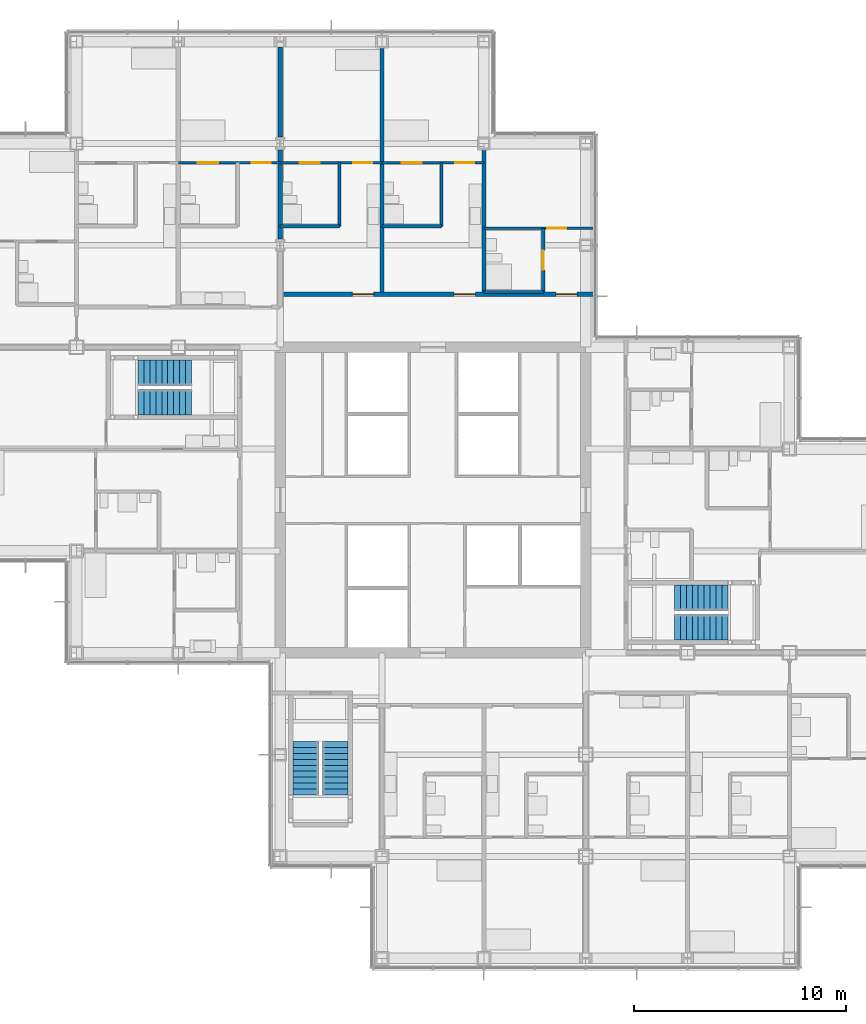
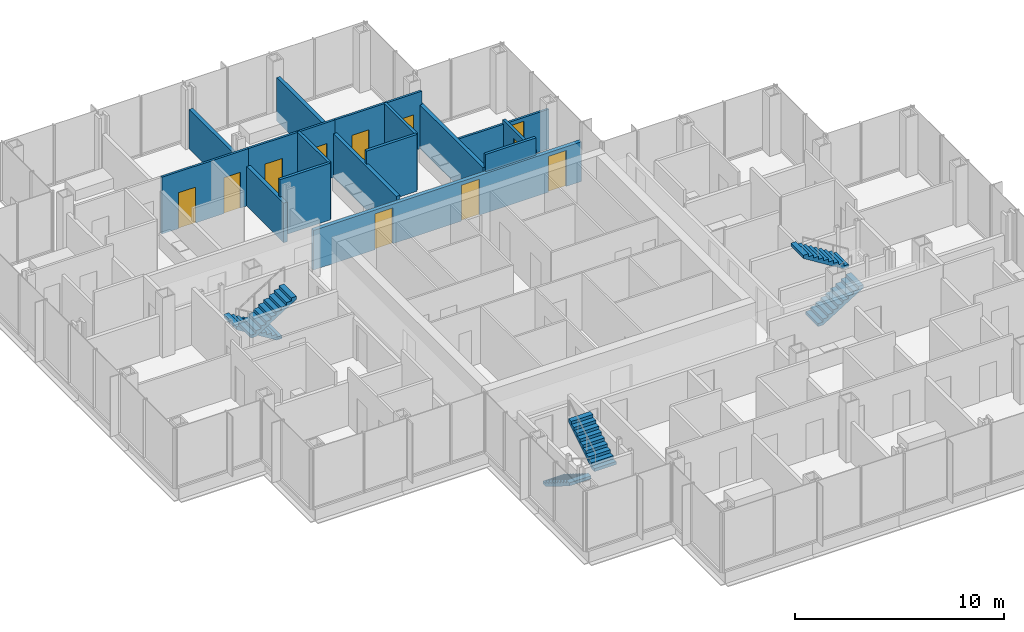
# One storey, part 16 of 19: 15 walls, 11 doors, 6 stair flights, 11 openings, 3 elements without a shape of their own.
"""IFC4 building model written with IfcOpenShell, lengths in metres."""

from ifc_helpers import new_model, si_unit, direction, frame, frame_2d, origin, place, context, subcontext, project, spatial, polyline, rectangle, outline, extrude, material, layer, layer_set, type_object, element, fill, aggregate, save


model = new_model("IFC4")

# Units and contexts
model_context = context("Model", 3, precision=1e-05, world=origin(), true_north=direction((0.0, 1.0)))
body_context = subcontext(model_context, "Body", "Model", "MODEL_VIEW")
ifc_project = project(units=[si_unit("LENGTHUNIT", "METRE"), si_unit("AREAUNIT", "SQUARE_METRE"), si_unit("VOLUMEUNIT", "CUBIC_METRE"), si_unit("PLANEANGLEUNIT", "RADIAN"), si_unit("MASSUNIT", "GRAM", prefix="KILO")], contexts=[model_context])

# Site, building, storey
site_placement = place(None, origin())
site = spatial("IfcSite", under=ifc_project, at=site_placement, CompositionType="ELEMENT")
building_placement = place(site_placement, origin())
building = spatial("IfcBuilding", under=site, at=building_placement, Name="Kvirike Care Tower", CompositionType="ELEMENT")
storey_placement = place(building_placement, frame((0.0, 0.0, 87.5)))
storey = spatial("IfcBuildingStorey", under=building, at=storey_placement, Name="L23", CompositionType="ELEMENT", Elevation=87.5)

# Wall, opening, door
ifc_material_1 = material(Name="Moisture-resistant board partition", Category="gypsum")
ifc_layer_1 = layer(ifc_material_1, 0.14990234375)
ifc_layer_set_1 = layer_set([ifc_layer_1], Name="BATHROOM WALL 150")
wall_type_1 = type_object("IfcWallType", Name="BATHROOM WALL 150", PredefinedType="PARTITIONING", material=ifc_layer_set_1)
wall_1_placement = place(storey_placement, frame((26.800048828125, 48.800048828125, 0.0), z_axis=(0.0, 0.0, 1.0), x_axis=(0.0, -1.0, 0.0)))
wall_1 = element("IfcWall", 1, at=wall_1_placement, inside=storey, type_object=wall_type_1, Name="Bathroom Wall 150 L23", PredefinedType="PARTITIONING", context=body_context, shape_type="SweptSolid", body=[
    extrude(rectangle(XDim=3.0, YDim=0.14990234375, at=frame_2d((1.5, 0.0))), origin(), (0.0, 0.0, 1.0), 2.550048828125),
])
opening_1_placement = place(wall_1_placement, frame((1.050048828125, 0.0, 0.0)))
opening_1 = element("IfcOpeningElement", 2, at=opening_1_placement, cuts=wall_1, Name="Opening 23-027", PredefinedType="OPENING", context=body_context, shape_type="SweptSolid", body=[
    extrude(rectangle(XDim=0.89990234375, YDim=2.10009765625, at=frame_2d((0.449951171875, 1.050048828125))), frame((0.0, 0.08544921875, 0.0), z_axis=(0.0, -1.0, 0.0), x_axis=(1.0, 0.0, 0.0)), (0.0, 0.0, 1.0), 0.1708984375),
])
ifc_material_2 = material(Name="Timber door set", Category="wood")
door_type_1 = type_object("IfcDoorType", Name="BATHROOM DOOR 900", OperationType="SINGLE_SWING_RIGHT", PredefinedType="DOOR", material=ifc_material_2)
door_1_placement = place(opening_1_placement, origin())
door_1 = element("IfcDoor", 3, at=door_1_placement, inside=storey, type_object=door_type_1, Name="Assisted bathroom door", OperationType="SINGLE_SWING_LEFT", OverallHeight=2.10009765625, OverallWidth=0.89990234375, PredefinedType="DOOR", context=body_context, shape_type="SweptSolid", body=[
    extrude(rectangle(XDim=0.89990234375, YDim=2.10009765625, at=frame_2d((0.449951171875, 1.050048828125))), frame((0.0, 0.02197265625, 0.0), z_axis=(0.0, -1.0, 0.0), x_axis=(1.0, 0.0, 0.0)), (0.0, 0.0, 1.0), 0.0439453125),
])
fill(opening_1, door_1)

# Walls
wall_2_placement = place(storey_placement, frame((26.800048828125, 45.800048828125, 0.0), z_axis=(0.0, 0.0, 1.0), x_axis=(-1.0, 0.0, 0.0)))
element("IfcWall", 4, at=wall_2_placement, inside=storey, type_object=wall_type_1, Name="Bathroom Wall 150 L23", PredefinedType="PARTITIONING", context=body_context, shape_type="SweptSolid", body=[
    extrude(rectangle(XDim=2.800048828125, YDim=0.14990234375, at=frame_2d((1.39990234375, 0.0))), origin(), (0.0, 0.0, 1.0), 3.330078125),
])
wall_3_placement = place(storey_placement, frame((22.0, 51.89990234375, 0.0), z_axis=(0.0, 0.0, 1.0), x_axis=(0.0, -1.0, 0.0)))
element("IfcWall", 5, at=wall_3_placement, inside=storey, type_object=wall_type_1, Name="Bathroom Wall 150 L23", PredefinedType="PARTITIONING", context=body_context, shape_type="SweptSolid", body=[
    extrude(rectangle(XDim=3.0, YDim=0.14990234375, at=frame_2d((1.5, 0.0))), origin(), (0.0, 0.0, 1.0), 3.330078125),
])
wall_4_placement = place(storey_placement, frame((22.0, 48.89990234375, 0.0), z_axis=(0.0, 0.0, 1.0), x_axis=(-1.0, 0.0, 0.0)))
element("IfcWall", 6, at=wall_4_placement, inside=storey, type_object=wall_type_1, Name="Bathroom Wall 150 L23", PredefinedType="PARTITIONING", context=body_context, shape_type="SweptSolid", body=[
    extrude(rectangle(XDim=2.800048828125, YDim=0.14990234375, at=frame_2d((1.39990234375, 0.0))), origin(), (0.0, 0.0, 1.0), 3.330078125),
])
wall_5_placement = place(storey_placement, frame((17.199951171875, 51.89990234375, 0.0), z_axis=(0.0, 0.0, 1.0), x_axis=(0.0, -1.0, 0.0)))
element("IfcWall", 7, at=wall_5_placement, inside=storey, type_object=wall_type_1, Name="Bathroom Wall 150 L23", PredefinedType="PARTITIONING", context=body_context, shape_type="SweptSolid", body=[
    extrude(rectangle(XDim=3.0, YDim=0.14990234375, at=frame_2d((1.5, 0.0))), origin(), (0.0, 0.0, 1.0), 3.330078125),
])
wall_6_placement = place(storey_placement, frame((17.199951171875, 48.89990234375, 0.0), z_axis=(0.0, 0.0, 1.0), x_axis=(-1.0, 0.0, 0.0)))
element("IfcWall", 8, at=wall_6_placement, inside=storey, type_object=wall_type_1, Name="Bathroom Wall 150 L23", PredefinedType="PARTITIONING", context=body_context, shape_type="SweptSolid", body=[
    extrude(rectangle(XDim=2.800048828125, YDim=0.14990234375, at=frame_2d((1.39990234375, 0.0))), origin(), (0.0, 0.0, 1.0), 3.330078125),
])

# Wall, openings, doors
ifc_material_3 = material(Name="Plasterboard corridor wall", Category="gypsum")
ifc_layer_2 = layer(ifc_material_3, 0.199951171875)
ifc_layer_set_2 = layer_set([ifc_layer_2], Name="CORRIDOR WALL 200")
wall_type_2 = type_object("IfcWallType", Name="CORRIDOR WALL 200", PredefinedType="PARTITIONING", material=ifc_layer_set_2)
wall_7_placement = place(storey_placement, frame((29.239990234375, 45.699951171875, 0.0), z_axis=(0.0, 0.0, 1.0), x_axis=(-1.0, 0.0, 0.0)))
wall_7 = element("IfcWall", 9, at=wall_7_placement, inside=storey, type_object=wall_type_2, Name="Corridor Wall 200 L23", PredefinedType="PARTITIONING", context=body_context, shape_type="SweptSolid", body=[
    extrude(rectangle(XDim=14.840087890625, YDim=0.199951171875, at=frame_2d((7.419921875, 0.0))), origin(), (0.0, 0.0, 1.0), 2.320068359375),
])
opening_2_placement = place(wall_7_placement, frame((0.840087890625, 0.0, 0.0)))
opening_2 = element("IfcOpeningElement", 10, at=opening_2_placement, cuts=wall_7, Name="Opening 23-033", PredefinedType="OPENING", context=body_context, shape_type="SweptSolid", body=[
    extrude(rectangle(XDim=1.0, YDim=2.10009765625, at=frame_2d((0.5, 1.050048828125))), frame((0.0, 0.110595703125, 0.0), z_axis=(0.0, -1.0, 0.0), x_axis=(1.0, 0.0, 0.0)), (0.0, 0.0, 1.0), 0.220947265625),
])
opening_3_placement = place(wall_7_placement, frame((5.639892578125, 0.0, 0.0)))
opening_3 = element("IfcOpeningElement", 11, at=opening_3_placement, cuts=wall_7, Name="Opening 23-034", PredefinedType="OPENING", context=body_context, shape_type="SweptSolid", body=[
    extrude(rectangle(XDim=1.0, YDim=2.10009765625, at=frame_2d((0.5, 1.050048828125))), frame((0.0, 0.110595703125, 0.0), z_axis=(0.0, -1.0, 0.0), x_axis=(1.0, 0.0, 0.0)), (0.0, 0.0, 1.0), 0.220947265625),
])
opening_4_placement = place(wall_7_placement, frame((10.43994140625, 0.0, 0.0)))
opening_4 = element("IfcOpeningElement", 12, at=opening_4_placement, cuts=wall_7, Name="Opening 23-035", PredefinedType="OPENING", context=body_context, shape_type="SweptSolid", body=[
    extrude(rectangle(XDim=1.0, YDim=2.10009765625, at=frame_2d((0.5, 1.050048828125))), frame((0.0, 0.110595703125, 0.0), z_axis=(0.0, -1.0, 0.0), x_axis=(1.0, 0.0, 0.0)), (0.0, 0.0, 1.0), 0.220947265625),
])
ifc_material_4 = material(Name="Timber door set", Category="wood")
door_type_2 = type_object("IfcDoorType", Name="FLAT ENTRANCE DOOR 1000", OperationType="SINGLE_SWING_LEFT", PredefinedType="DOOR", material=ifc_material_4)
door_2_placement = place(opening_2_placement, frame((1.0, 0.0, 0.0), z_axis=(0.0, 0.0, 1.0), x_axis=(-1.0, 0.0, 0.0)))
door_2 = element("IfcDoor", 13, at=door_2_placement, inside=storey, type_object=door_type_2, Name="Care base entrance", OperationType="SINGLE_SWING_LEFT", OverallHeight=2.10009765625, OverallWidth=1.0, PredefinedType="DOOR", context=body_context, shape_type="SweptSolid", body=[
    extrude(rectangle(XDim=1.0, YDim=2.10009765625, at=frame_2d((0.5, 1.050048828125))), frame((0.0, 0.02685546875, 0.0), z_axis=(0.0, -1.0, 0.0), x_axis=(1.0, 0.0, 0.0)), (0.0, 0.0, 1.0), 0.053955078125),
])
fill(opening_2, door_2)
door_3_placement = place(opening_3_placement, frame((1.0, 0.0, 0.0), z_axis=(0.0, 0.0, 1.0), x_axis=(-1.0, 0.0, 0.0)))
door_3 = element("IfcDoor", 14, at=door_3_placement, inside=storey, type_object=door_type_2, Name="Assisted living suite entrance", OperationType="SINGLE_SWING_LEFT", OverallHeight=2.10009765625, OverallWidth=1.0, PredefinedType="DOOR", context=body_context, shape_type="SweptSolid", body=[
    extrude(rectangle(XDim=1.0, YDim=2.10009765625, at=frame_2d((0.5, 1.050048828125))), frame((0.0, 0.02685546875, 0.0), z_axis=(0.0, -1.0, 0.0), x_axis=(1.0, 0.0, 0.0)), (0.0, 0.0, 1.0), 0.053955078125),
])
fill(opening_3, door_3)
door_4_placement = place(opening_4_placement, frame((1.0, 0.0, 0.0), z_axis=(0.0, 0.0, 1.0), x_axis=(-1.0, 0.0, 0.0)))
door_4 = element("IfcDoor", 15, at=door_4_placement, inside=storey, type_object=door_type_2, Name="Assisted living suite entrance", OperationType="SINGLE_SWING_LEFT", OverallHeight=2.10009765625, OverallWidth=1.0, PredefinedType="DOOR", context=body_context, shape_type="SweptSolid", body=[
    extrude(rectangle(XDim=1.0, YDim=2.10009765625, at=frame_2d((0.5, 1.050048828125))), frame((0.0, 0.02685546875, 0.0), z_axis=(0.0, -1.0, 0.0), x_axis=(1.0, 0.0, 0.0)), (0.0, 0.0, 1.0), 0.053955078125),
])
fill(opening_4, door_4)

ifc_material_5 = material(Name="Plasterboard partition", Category="gypsum")
ifc_layer_3 = layer(ifc_material_5, 0.1201171875)
ifc_layer_set_3 = layer_set([ifc_layer_3], Name="PARTITION 120")
wall_type_3 = type_object("IfcWallType", Name="PARTITION 120", PredefinedType="PARTITIONING", material=ifc_layer_set_3)
wall_8_placement = place(storey_placement, frame((14.39990234375, 51.89990234375, 0.0), z_axis=(0.0, 0.0, 1.0), x_axis=(-1.0, 0.0, 0.0)))
wall_8 = element("IfcWall", 16, at=wall_8_placement, inside=storey, type_object=wall_type_3, Name="Partition 120 L23", PredefinedType="PARTITIONING", context=body_context, shape_type="SweptSolid", body=[
    extrude(rectangle(XDim=4.7998046875, YDim=0.1201171875, at=frame_2d((2.39990234375, 0.0))), origin(), (0.0, 0.0, 1.0), 3.330078125),
])
opening_5_placement = place(wall_8_placement, frame((0.449951171875, 0.0, 0.0)))
opening_5 = element("IfcOpeningElement", 17, at=opening_5_placement, cuts=wall_8, Name="Opening 23-010", PredefinedType="OPENING", context=body_context, shape_type="SweptSolid", body=[
    extrude(rectangle(XDim=0.89990234375, YDim=2.10009765625, at=frame_2d((0.449951171875, 1.050048828125))), frame((0.0, 0.070556640625, 0.0), z_axis=(0.0, -1.0, 0.0), x_axis=(1.0, 0.0, 0.0)), (0.0, 0.0, 1.0), 0.14111328125),
])
opening_6_placement = place(wall_8_placement, frame((2.925048828125, 0.0, 0.0)))
opening_6 = element("IfcOpeningElement", 18, at=opening_6_placement, cuts=wall_8, Name="Opening 23-011", PredefinedType="OPENING", context=body_context, shape_type="SweptSolid", body=[
    extrude(rectangle(XDim=0.949951171875, YDim=2.10009765625, at=frame_2d((0.47509765625, 1.050048828125))), frame((0.0, 0.070556640625, 0.0), z_axis=(0.0, -1.0, 0.0), x_axis=(1.0, 0.0, 0.0)), (0.0, 0.0, 1.0), 0.14111328125),
])
ifc_material_6 = material(Name="Timber door set", Category="wood")
door_type_3 = type_object("IfcDoorType", Name="EN-SUITE SLIDING DOOR 950", OperationType="SLIDING_TO_LEFT", PredefinedType="DOOR", material=ifc_material_6)
door_5_placement = place(opening_6_placement, origin())
door_5 = element("IfcDoor", 19, at=door_5_placement, inside=storey, type_object=door_type_3, Name="En-suite door", OperationType="SLIDING_TO_RIGHT", OverallHeight=2.10009765625, OverallWidth=0.949951171875, PredefinedType="DOOR", context=body_context, shape_type="SweptSolid", body=[
    extrude(rectangle(XDim=0.949951171875, YDim=2.10009765625, at=frame_2d((0.47509765625, 1.050048828125))), frame((0.0, 0.02197265625, 0.0), z_axis=(0.0, -1.0, 0.0), x_axis=(1.0, 0.0, 0.0)), (0.0, 0.0, 1.0), 0.0439453125),
])
fill(opening_6, door_5)
ifc_material_7 = material(Name="Timber door set", Category="wood")
door_type_4 = type_object("IfcDoorType", Name="INTERNAL DOOR 900", OperationType="SINGLE_SWING_LEFT", PredefinedType="DOOR", material=ifc_material_7)
door_6_placement = place(opening_5_placement, origin())
door_6 = element("IfcDoor", 20, at=door_6_placement, inside=storey, type_object=door_type_4, Name="Assisted living suite door", OperationType="SINGLE_SWING_RIGHT", OverallHeight=2.10009765625, OverallWidth=0.89990234375, PredefinedType="DOOR", context=body_context, shape_type="SweptSolid", body=[
    extrude(rectangle(XDim=0.89990234375, YDim=2.10009765625, at=frame_2d((0.449951171875, 1.050048828125))), frame((0.0, 0.02197265625, 0.0), z_axis=(0.0, -1.0, 0.0), x_axis=(1.0, 0.0, 0.0)), (0.0, 0.0, 1.0), 0.0439453125),
])
fill(opening_5, door_6)

# Wall, opening, door
wall_9_placement = place(storey_placement, frame((29.239990234375, 48.800048828125, 0.0), z_axis=(0.0, 0.0, 1.0), x_axis=(-1.0, 0.0, 0.0)))
wall_9 = element("IfcWall", 21, at=wall_9_placement, inside=storey, type_object=wall_type_3, Name="Partition 120 L23", PredefinedType="PARTITIONING", context=body_context, shape_type="SweptSolid", body=[
    extrude(rectangle(XDim=5.239990234375, YDim=0.1201171875, at=frame_2d((2.6201171875, 0.0))), origin(), (0.0, 0.0, 1.0), 2.320068359375),
])
opening_7_placement = place(wall_9_placement, frame((1.364990234375, 0.0, 0.0)))
opening_7 = element("IfcOpeningElement", 22, at=opening_7_placement, cuts=wall_9, Name="Opening 23-028", PredefinedType="OPENING", context=body_context, shape_type="SweptSolid", body=[
    extrude(rectangle(XDim=0.89990234375, YDim=2.10009765625, at=frame_2d((0.449951171875, 1.050048828125))), frame((0.0, 0.070556640625, 0.0), z_axis=(0.0, -1.0, 0.0), x_axis=(1.0, 0.0, 0.0)), (0.0, 0.0, 1.0), 0.14111328125),
])
door_7_placement = place(opening_7_placement, origin())
door_7 = element("IfcDoor", 23, at=door_7_placement, inside=storey, type_object=door_type_4, Name="Care lounge door", OperationType="SINGLE_SWING_LEFT", OverallHeight=2.10009765625, OverallWidth=0.89990234375, PredefinedType="DOOR", context=body_context, shape_type="SweptSolid", body=[
    extrude(rectangle(XDim=0.89990234375, YDim=2.10009765625, at=frame_2d((0.449951171875, 1.050048828125))), frame((0.0, 0.02197265625, 0.0), z_axis=(0.0, -1.0, 0.0), x_axis=(1.0, 0.0, 0.0)), (0.0, 0.0, 1.0), 0.0439453125),
])
fill(opening_7, door_7)

# Wall, openings, doors
wall_10_placement = place(storey_placement, frame((24.0, 51.89990234375, 0.0), z_axis=(0.0, 0.0, 1.0), x_axis=(-1.0, 0.0, 0.0)))
wall_10 = element("IfcWall", 24, at=wall_10_placement, inside=storey, type_object=wall_type_3, Name="Partition 120 L23", PredefinedType="PARTITIONING", context=body_context, shape_type="SweptSolid", body=[
    extrude(rectangle(XDim=4.800048828125, YDim=0.1201171875, at=frame_2d((2.39990234375, 0.0))), origin(), (0.0, 0.0, 1.0), 3.330078125),
])
opening_8_placement = place(wall_10_placement, frame((0.449951171875, 0.0, 0.0)))
opening_8 = element("IfcOpeningElement", 25, at=opening_8_placement, cuts=wall_10, Name="Opening 23-029", PredefinedType="OPENING", context=body_context, shape_type="SweptSolid", body=[
    extrude(rectangle(XDim=0.89990234375, YDim=2.10009765625, at=frame_2d((0.449951171875, 1.050048828125))), frame((0.0, 0.070556640625, 0.0), z_axis=(0.0, -1.0, 0.0), x_axis=(1.0, 0.0, 0.0)), (0.0, 0.0, 1.0), 0.14111328125),
])
opening_9_placement = place(wall_10_placement, frame((2.925048828125, 0.0, 0.0)))
opening_9 = element("IfcOpeningElement", 26, at=opening_9_placement, cuts=wall_10, Name="Opening 23-030", PredefinedType="OPENING", context=body_context, shape_type="SweptSolid", body=[
    extrude(rectangle(XDim=0.949951171875, YDim=2.10009765625, at=frame_2d((0.47509765625, 1.050048828125))), frame((0.0, 0.070556640625, 0.0), z_axis=(0.0, -1.0, 0.0), x_axis=(1.0, 0.0, 0.0)), (0.0, 0.0, 1.0), 0.14111328125),
])
door_8_placement = place(opening_9_placement, origin())
door_8 = element("IfcDoor", 27, at=door_8_placement, inside=storey, type_object=door_type_3, Name="En-suite door", OperationType="SLIDING_TO_RIGHT", OverallHeight=2.10009765625, OverallWidth=0.949951171875, PredefinedType="DOOR", context=body_context, shape_type="SweptSolid", body=[
    extrude(rectangle(XDim=0.949951171875, YDim=2.10009765625, at=frame_2d((0.47509765625, 1.050048828125))), frame((0.0, 0.02197265625, 0.0), z_axis=(0.0, -1.0, 0.0), x_axis=(1.0, 0.0, 0.0)), (0.0, 0.0, 1.0), 0.0439453125),
])
fill(opening_9, door_8)
door_9_placement = place(opening_8_placement, origin())
door_9 = element("IfcDoor", 28, at=door_9_placement, inside=storey, type_object=door_type_4, Name="Assisted living suite door", OperationType="SINGLE_SWING_RIGHT", OverallHeight=2.10009765625, OverallWidth=0.89990234375, PredefinedType="DOOR", context=body_context, shape_type="SweptSolid", body=[
    extrude(rectangle(XDim=0.89990234375, YDim=2.10009765625, at=frame_2d((0.449951171875, 1.050048828125))), frame((0.0, 0.02197265625, 0.0), z_axis=(0.0, -1.0, 0.0), x_axis=(1.0, 0.0, 0.0)), (0.0, 0.0, 1.0), 0.0439453125),
])
fill(opening_8, door_9)

wall_11_placement = place(storey_placement, frame((19.199951171875, 51.89990234375, 0.0), z_axis=(0.0, 0.0, 1.0), x_axis=(-1.0, 0.0, 0.0)))
wall_11 = element("IfcWall", 29, at=wall_11_placement, inside=storey, type_object=wall_type_3, Name="Partition 120 L23", PredefinedType="PARTITIONING", context=body_context, shape_type="SweptSolid", body=[
    extrude(rectangle(XDim=4.800048828125, YDim=0.1201171875, at=frame_2d((2.39990234375, 0.0))), origin(), (0.0, 0.0, 1.0), 3.330078125),
])
opening_10_placement = place(wall_11_placement, frame((0.449951171875, 0.0, 0.0)))
opening_10 = element("IfcOpeningElement", 30, at=opening_10_placement, cuts=wall_11, Name="Opening 23-031", PredefinedType="OPENING", context=body_context, shape_type="SweptSolid", body=[
    extrude(rectangle(XDim=0.89990234375, YDim=2.10009765625, at=frame_2d((0.449951171875, 1.050048828125))), frame((0.0, 0.070556640625, 0.0), z_axis=(0.0, -1.0, 0.0), x_axis=(1.0, 0.0, 0.0)), (0.0, 0.0, 1.0), 0.14111328125),
])
opening_11_placement = place(wall_11_placement, frame((2.925048828125, 0.0, 0.0)))
opening_11 = element("IfcOpeningElement", 31, at=opening_11_placement, cuts=wall_11, Name="Opening 23-032", PredefinedType="OPENING", context=body_context, shape_type="SweptSolid", body=[
    extrude(rectangle(XDim=0.949951171875, YDim=2.10009765625, at=frame_2d((0.47509765625, 1.050048828125))), frame((0.0, 0.070556640625, 0.0), z_axis=(0.0, -1.0, 0.0), x_axis=(1.0, 0.0, 0.0)), (0.0, 0.0, 1.0), 0.14111328125),
])
door_10_placement = place(opening_11_placement, origin())
door_10 = element("IfcDoor", 32, at=door_10_placement, inside=storey, type_object=door_type_3, Name="En-suite door", OperationType="SLIDING_TO_RIGHT", OverallHeight=2.10009765625, OverallWidth=0.949951171875, PredefinedType="DOOR", context=body_context, shape_type="SweptSolid", body=[
    extrude(rectangle(XDim=0.949951171875, YDim=2.10009765625, at=frame_2d((0.47509765625, 1.050048828125))), frame((0.0, 0.02197265625, 0.0), z_axis=(0.0, -1.0, 0.0), x_axis=(1.0, 0.0, 0.0)), (0.0, 0.0, 1.0), 0.0439453125),
])
fill(opening_11, door_10)
door_11_placement = place(opening_10_placement, origin())
door_11 = element("IfcDoor", 33, at=door_11_placement, inside=storey, type_object=door_type_4, Name="Assisted living suite door", OperationType="SINGLE_SWING_RIGHT", OverallHeight=2.10009765625, OverallWidth=0.89990234375, PredefinedType="DOOR", context=body_context, shape_type="SweptSolid", body=[
    extrude(rectangle(XDim=0.89990234375, YDim=2.10009765625, at=frame_2d((0.449951171875, 1.050048828125))), frame((0.0, 0.02197265625, 0.0), z_axis=(0.0, -1.0, 0.0), x_axis=(1.0, 0.0, 0.0)), (0.0, 0.0, 1.0), 0.0439453125),
])
fill(opening_10, door_11)

# Walls
ifc_material_8 = material(Name="Plasterboard party wall", Category="gypsum")
ifc_layer_4 = layer(ifc_material_8, 0.199951171875)
ifc_layer_set_4 = layer_set([ifc_layer_4], Name="PARTY WALL 200")
wall_type_4 = type_object("IfcWallType", Name="PARTY WALL 200", PredefinedType="PARTITIONING", material=ifc_layer_set_4)
wall_12_placement = place(storey_placement, frame((24.0, 52.47998046875, 0.0), z_axis=(0.0, 0.0, 1.0), x_axis=(0.0, -1.0, 0.0)))
element("IfcWall", 34, at=wall_12_placement, inside=storey, type_object=wall_type_4, Name="Party Wall 200 L23", PredefinedType="PARTITIONING", context=body_context, shape_type="SweptSolid", body=[
    extrude(rectangle(XDim=6.679931640625, YDim=0.199951171875, at=frame_2d((3.33984375, 0.0))), origin(), (0.0, 0.0, 1.0), 2.550048828125),
])
wall_13_placement = place(storey_placement, frame((19.199951171875, 57.280029296875, 0.0), z_axis=(0.0, 0.0, 1.0), x_axis=(0.0, -1.0, 0.0)))
element("IfcWall", 35, at=wall_13_placement, inside=storey, type_object=wall_type_4, Name="Party Wall 200 L23", PredefinedType="PARTITIONING", context=body_context, shape_type="SweptSolid", body=[
    extrude(rectangle(XDim=11.47998046875, YDim=0.199951171875, at=frame_2d((5.739990234375, 0.0))), origin(), (0.0, 0.0, 1.0), 2.550048828125),
])
wall_14_placement = place(storey_placement, frame((14.39990234375, 48.294921875, 0.0), z_axis=(0.0, 0.0, 1.0), x_axis=(0.0, 1.0, 0.0)))
element("IfcWall", 36, at=wall_14_placement, inside=storey, type_object=wall_type_4, Name="Party Wall 200 L23", PredefinedType="PARTITIONING", context=body_context, shape_type="SweptSolid", body=[
    extrude(rectangle(XDim=4.2099609375, YDim=0.199951171875, at=frame_2d((2.10498046875, 0.0))), origin(), (0.0, 0.0, 1.0), 2.320068359375),
])
wall_15_placement = place(storey_placement, frame((14.39990234375, 53.094970703125, 0.0), z_axis=(0.0, 0.0, 1.0), x_axis=(0.0, 1.0, 0.0)))
element("IfcWall", 37, at=wall_15_placement, inside=storey, type_object=wall_type_4, Name="Party Wall 200 L23", PredefinedType="PARTITIONING", context=body_context, shape_type="SweptSolid", body=[
    extrude(rectangle(XDim=4.258056640625, YDim=0.199951171875, at=frame_2d((2.12890625, 0.0))), origin(), (0.0, 0.0, 1.0), 2.320068359375),
])

# Stair, stair flights
ifc_material_9 = material(Name="Concrete C35/45", Category="concrete")
stair_type = type_object("IfcStairType", Name="STAIR 20 RISERS", PredefinedType="HALF_TURN_STAIR", material=ifc_material_9)
stair_1_placement = place(storey_placement, origin())
stair_1 = element("IfcStair", 38, at=stair_1_placement, inside=storey, type_object=stair_type, Name="Stair 1 L23", PredefinedType="HALF_TURN_STAIR")
ifc_material_10 = material(Name="Concrete C35/45", Category="concrete")
stair_flight_type = type_object("IfcStairFlightType", Name="FLIGHT 10 RISERS", PredefinedType="STRAIGHT", material=ifc_material_10)
stair_flight_1_placement = place(storey_placement, frame((10.219970703125, 42.0, 0.0), z_axis=(0.0, 0.0, 1.0), x_axis=(-1.0, 0.0, 0.0)))
stair_flight_1 = element("IfcStairFlight", 39, at=stair_flight_1_placement, type_object=stair_flight_type, Name="Stair S1 flight 1 L23-L24", NumberOfRisers=10, NumberOfTreads=9, PredefinedType="STRAIGHT", RiserHeight=0.175, TreadLength=0.28, context=body_context, shape_type="SweptSolid", body=[
    extrude(outline(polyline([(0.0, 0.0), (0.0, 0.175048828125), (0.280029296875, 0.175048828125), (0.280029296875, 0.35009765625), (0.56005859375, 0.35009765625), (0.56005859375, 0.52490234375), (0.840087890625, 0.52490234375), (0.840087890625, 0.699951171875), (1.1201171875, 0.699951171875), (1.1201171875, 0.875), (1.39990234375, 0.875), (1.39990234375, 1.050048828125), (1.679931640625, 1.050048828125), (1.679931640625, 1.22509765625), (1.9599609375, 1.22509765625), (1.9599609375, 1.39990234375), (2.239990234375, 1.39990234375), (2.239990234375, 1.574951171875), (2.52001953125, 1.574951171875), (2.52001953125, 1.75), (2.52001953125, 1.398193359375), (0.28271484375, 0.0), (0.0, 0.0)])), frame((0.0, 0.60009765625, 0.0), z_axis=(0.0, -1.0, 0.0), x_axis=(1.0, 0.0, 0.0)), (0.0, 0.0, 1.0), 1.199951171875),
])
stair_flight_2_placement = place(storey_placement, frame((7.699951171875, 40.60009765625, 1.75), z_axis=(0.0, 0.0, 1.0), x_axis=(1.0, 0.0, 0.0)))
stair_flight_2 = element("IfcStairFlight", 40, at=stair_flight_2_placement, type_object=stair_flight_type, Name="Stair S1 flight 2 L23-L24", NumberOfRisers=10, NumberOfTreads=9, PredefinedType="STRAIGHT", RiserHeight=0.175, TreadLength=0.28, context=body_context, shape_type="SweptSolid", body=[
    extrude(outline(polyline([(0.0, 0.0), (0.0, 0.175048828125), (0.280029296875, 0.175048828125), (0.280029296875, 0.35009765625), (0.56005859375, 0.35009765625), (0.56005859375, 0.52490234375), (0.840087890625, 0.52490234375), (0.840087890625, 0.699951171875), (1.1201171875, 0.699951171875), (1.1201171875, 0.875), (1.39990234375, 0.875), (1.39990234375, 1.050048828125), (1.679931640625, 1.050048828125), (1.679931640625, 1.22509765625), (1.9599609375, 1.22509765625), (1.9599609375, 1.39990234375), (2.239990234375, 1.39990234375), (2.239990234375, 1.574951171875), (2.52001953125, 1.574951171875), (2.52001953125, 1.75), (2.52001953125, 1.398193359375), (0.28271484375, 0.0), (0.0, 0.0)])), frame((0.0, 0.60009765625, 0.0), z_axis=(0.0, -1.0, 0.0), x_axis=(1.0, 0.0, 0.0)), (0.0, 0.0, 1.0), 1.199951171875),
])
aggregate(stair_1, [stair_flight_1, stair_flight_2])

stair_2_placement = place(storey_placement, origin())
stair_2 = element("IfcStair", 41, at=stair_2_placement, inside=storey, type_object=stair_type, Name="Stair 2 L23", PredefinedType="HALF_TURN_STAIR")
stair_flight_3_placement = place(storey_placement, frame((32.97998046875, 30.0, 0.0), z_axis=(0.0, 0.0, 1.0), x_axis=(1.0, 0.0, 0.0)))
stair_flight_3 = element("IfcStairFlight", 42, at=stair_flight_3_placement, type_object=stair_flight_type, Name="Stair S2 flight 1 L23-L24", NumberOfRisers=10, NumberOfTreads=9, PredefinedType="STRAIGHT", RiserHeight=0.175, TreadLength=0.28, context=body_context, shape_type="SweptSolid", body=[
    extrude(outline(polyline([(0.0, 0.0), (0.0, 0.175048828125), (0.280029296875, 0.175048828125), (0.280029296875, 0.35009765625), (0.56005859375, 0.35009765625), (0.56005859375, 0.52490234375), (0.840087890625, 0.52490234375), (0.840087890625, 0.699951171875), (1.1201171875, 0.699951171875), (1.1201171875, 0.875), (1.39990234375, 0.875), (1.39990234375, 1.050048828125), (1.679931640625, 1.050048828125), (1.679931640625, 1.22509765625), (1.9599609375, 1.22509765625), (1.9599609375, 1.39990234375), (2.239990234375, 1.39990234375), (2.239990234375, 1.574951171875), (2.52001953125, 1.574951171875), (2.52001953125, 1.75), (2.52001953125, 1.398193359375), (0.28271484375, 0.0), (0.0, 0.0)])), frame((0.0, 0.60009765625, 0.0), z_axis=(0.0, -1.0, 0.0), x_axis=(1.0, 0.0, 0.0)), (0.0, 0.0, 1.0), 1.199951171875),
])
stair_flight_4_placement = place(storey_placement, frame((35.5, 31.39990234375, 1.75), z_axis=(0.0, 0.0, 1.0), x_axis=(-1.0, 0.0, 0.0)))
stair_flight_4 = element("IfcStairFlight", 43, at=stair_flight_4_placement, type_object=stair_flight_type, Name="Stair S2 flight 2 L23-L24", NumberOfRisers=10, NumberOfTreads=9, PredefinedType="STRAIGHT", RiserHeight=0.175, TreadLength=0.28, context=body_context, shape_type="SweptSolid", body=[
    extrude(outline(polyline([(0.0, 0.0), (0.0, 0.175048828125), (0.280029296875, 0.175048828125), (0.280029296875, 0.35009765625), (0.56005859375, 0.35009765625), (0.56005859375, 0.52490234375), (0.840087890625, 0.52490234375), (0.840087890625, 0.699951171875), (1.1201171875, 0.699951171875), (1.1201171875, 0.875), (1.39990234375, 0.875), (1.39990234375, 1.050048828125), (1.679931640625, 1.050048828125), (1.679931640625, 1.22509765625), (1.9599609375, 1.22509765625), (1.9599609375, 1.39990234375), (2.239990234375, 1.39990234375), (2.239990234375, 1.574951171875), (2.52001953125, 1.574951171875), (2.52001953125, 1.75), (2.52001953125, 1.398193359375), (0.28271484375, 0.0), (0.0, 0.0)])), frame((0.0, 0.60009765625, 0.0), z_axis=(0.0, -1.0, 0.0), x_axis=(1.0, 0.0, 0.0)), (0.0, 0.0, 1.0), 1.199951171875),
])
aggregate(stair_2, [stair_flight_3, stair_flight_4])

stair_3_placement = place(storey_placement, origin())
stair_3 = element("IfcStair", 44, at=stair_3_placement, inside=storey, type_object=stair_type, Name="Stair 5 L23", PredefinedType="HALF_TURN_STAIR")
stair_flight_5_placement = place(storey_placement, frame((15.60009765625, 24.6201171875, 0.0), z_axis=(0.0, 0.0, 1.0), x_axis=(0.0, -1.0, 0.0)))
stair_flight_5 = element("IfcStairFlight", 45, at=stair_flight_5_placement, type_object=stair_flight_type, Name="Stair S5 flight 1 L23-L24", NumberOfRisers=10, NumberOfTreads=9, PredefinedType="STRAIGHT", RiserHeight=0.175, TreadLength=0.28, context=body_context, shape_type="SweptSolid", body=[
    extrude(outline(polyline([(0.0, 0.0), (0.0, 0.175048828125), (0.280029296875, 0.175048828125), (0.280029296875, 0.35009765625), (0.56005859375, 0.35009765625), (0.56005859375, 0.52490234375), (0.840087890625, 0.52490234375), (0.840087890625, 0.699951171875), (1.1201171875, 0.699951171875), (1.1201171875, 0.875), (1.39990234375, 0.875), (1.39990234375, 1.050048828125), (1.679931640625, 1.050048828125), (1.679931640625, 1.22509765625), (1.9599609375, 1.22509765625), (1.9599609375, 1.39990234375), (2.239990234375, 1.39990234375), (2.239990234375, 1.574951171875), (2.52001953125, 1.574951171875), (2.52001953125, 1.75), (2.52001953125, 1.398193359375), (0.28271484375, 0.0), (0.0, 0.0)])), frame((0.0, 0.60009765625, 0.0), z_axis=(0.0, -1.0, 0.0), x_axis=(1.0, 0.0, 0.0)), (0.0, 0.0, 1.0), 1.199951171875),
])
stair_flight_6_placement = place(storey_placement, frame((17.0, 22.10009765625, 1.75), z_axis=(0.0, 0.0, 1.0), x_axis=(0.0, 1.0, 0.0)))
stair_flight_6 = element("IfcStairFlight", 46, at=stair_flight_6_placement, type_object=stair_flight_type, Name="Stair S5 flight 2 L23-L24", NumberOfRisers=10, NumberOfTreads=9, PredefinedType="STRAIGHT", RiserHeight=0.175, TreadLength=0.28, context=body_context, shape_type="SweptSolid", body=[
    extrude(outline(polyline([(0.0, 0.0), (0.0, 0.175048828125), (0.280029296875, 0.175048828125), (0.280029296875, 0.35009765625), (0.56005859375, 0.35009765625), (0.56005859375, 0.52490234375), (0.840087890625, 0.52490234375), (0.840087890625, 0.699951171875), (1.1201171875, 0.699951171875), (1.1201171875, 0.875), (1.39990234375, 0.875), (1.39990234375, 1.050048828125), (1.679931640625, 1.050048828125), (1.679931640625, 1.22509765625), (1.9599609375, 1.22509765625), (1.9599609375, 1.39990234375), (2.239990234375, 1.39990234375), (2.239990234375, 1.574951171875), (2.52001953125, 1.574951171875), (2.52001953125, 1.75), (2.52001953125, 1.398193359375), (0.28271484375, 0.0), (0.0, 0.0)])), frame((0.0, 0.60009765625, 0.0), z_axis=(0.0, -1.0, 0.0), x_axis=(1.0, 0.0, 0.0)), (0.0, 0.0, 1.0), 1.199951171875),
])
aggregate(stair_3, [stair_flight_5, stair_flight_6])

save(model, "model.ifc")
